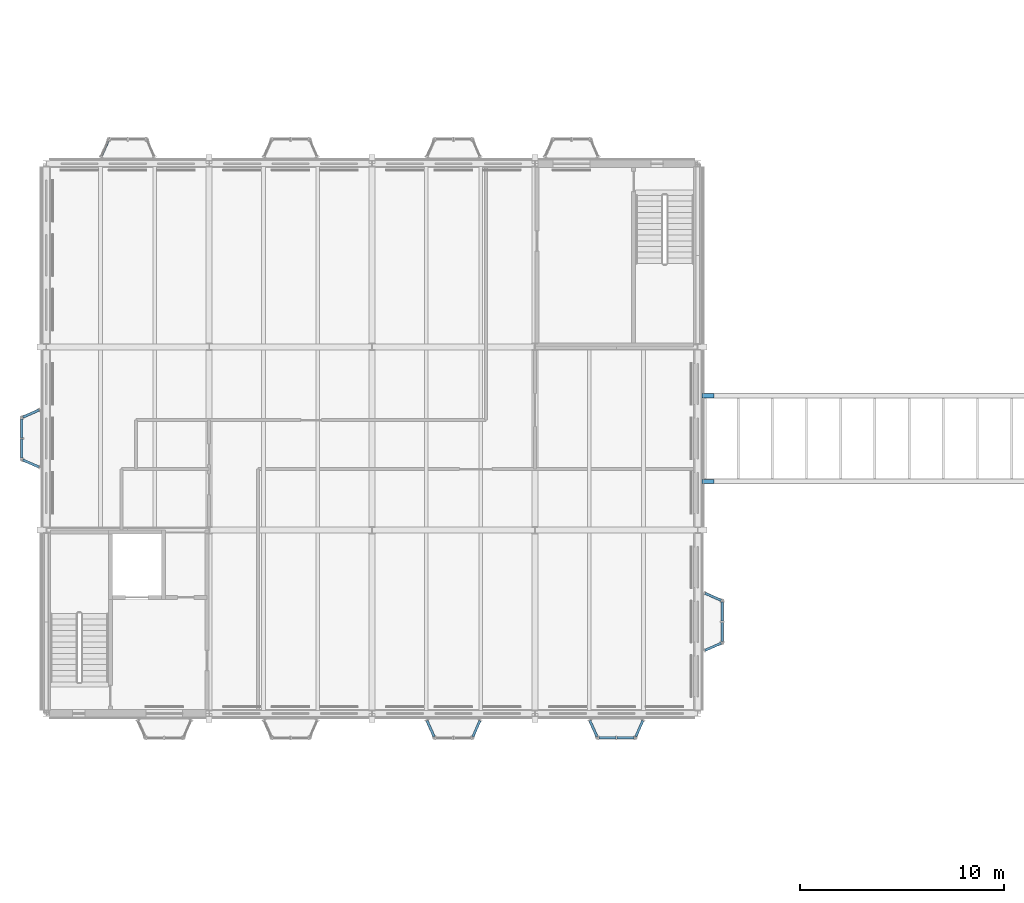
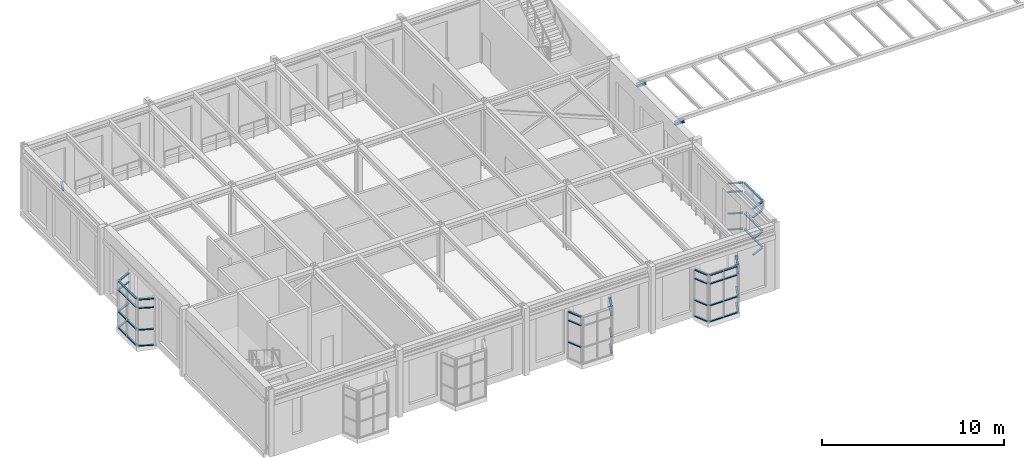
# One storey, part 78 of 153: 56 members, 2 beams, 12 elements without a shape of their own.
"""IFC4 building model written with IfcOpenShell, lengths in metres."""

from ifc_helpers import new_model, si_unit, direction, frame, origin, origin_2d, place, context, subcontext, project, spatial, hollow_rectangle, i_section, extrude, material, material_profile, profile_set, type_object, element, aggregate, save


model = new_model("IFC4")

# Units and contexts
model_context = context("Model", 3, precision=1e-05, world=origin(), true_north=direction((0.0, 1.0)))
body_context = subcontext(model_context, "Body", "Model", "MODEL_VIEW")
ifc_project = project(units=[si_unit("LENGTHUNIT", "METRE"), si_unit("AREAUNIT", "SQUARE_METRE"), si_unit("VOLUMEUNIT", "CUBIC_METRE"), si_unit("PLANEANGLEUNIT", "RADIAN"), si_unit("MASSUNIT", "GRAM", prefix="KILO")], contexts=[model_context])

# Site, building, storey
site_placement = place(None, origin())
site = spatial("IfcSite", under=ifc_project, at=site_placement, CompositionType="ELEMENT")
building_placement = place(site_placement, origin())
building = spatial("IfcBuilding", under=site, at=building_placement, Name="Kallimachos Central Library", CompositionType="ELEMENT")
storey_placement = place(building_placement, frame((0.0, 0.0, 5.39990234375)))
storey = spatial("IfcBuildingStorey", under=building, at=storey_placement, Name="L01", CompositionType="ELEMENT", Elevation=5.39990234375)

# Curtain wall, members
ifc_material_1 = material(Name="Laminated glass in anodised aluminium", Category="aluminium")
curtain_wall_type = type_object("IfcCurtainWallType", Name="Foyer curtain wall", PredefinedType="NOTDEFINED", material=ifc_material_1)
curtain_wall_1_placement = place(storey_placement, origin())
curtain_wall_1 = element("IfcCurtainWall", 1, at=curtain_wall_1_placement, inside=storey, type_object=curtain_wall_type, Name="Tribune bay return west", PredefinedType="NOTDEFINED")
ifc_material_2 = material(Name="Anodised aluminium", Category="aluminium")
ifc_material_profile_1 = material_profile(ifc_material_2, hollow_rectangle(XDim=0.06005859375, YDim=0.1201171875, WallThickness=0.00390625, at=origin_2d()), Name="ALU TRANSOM 60x120")
ifc_profile_set_1 = profile_set([ifc_material_profile_1], Name="Anodised aluminium")
member_type = type_object("IfcMemberType", Name="ALU TRANSOM 60x120 transom", PredefinedType="USERDEFINED", material=ifc_profile_set_1)
member_1_placement = place(storey_placement, frame((24.699462890625, 86.645263671875, 1.25), z_axis=(0.405876567244, -0.913927903154, 0.0), x_axis=(0.0, 0.0, 1.0)))
member_1 = element("IfcMember", 2, at=member_1_placement, type_object=member_type, Name="CW transom 1.2", ObjectType="TRANSOM", PredefinedType="USERDEFINED", context=body_context, shape_type="SweptSolid", body=[
    extrude(hollow_rectangle(XDim=0.06005859375, YDim=0.1201171875, WallThickness=0.00390625, at=origin_2d()), origin(), (0.0, 0.0, 1.0), 0.864990234375),
])
member_2_placement = place(storey_placement, frame((24.699462890625, 86.645263671875, 2.7001953125), z_axis=(0.405876567244, -0.913927903154, 0.0), x_axis=(0.0, 0.0, 1.0)))
member_2 = element("IfcMember", 3, at=member_2_placement, type_object=member_type, Name="CW transom 1.3", ObjectType="TRANSOM", PredefinedType="USERDEFINED", context=body_context, shape_type="SweptSolid", body=[
    extrude(hollow_rectangle(XDim=0.06005859375, YDim=0.1201171875, WallThickness=0.00390625, at=origin_2d()), origin(), (0.0, 0.0, 1.0), 0.864990234375),
])
member_3_placement = place(storey_placement, frame((24.699462890625, 86.645263671875, 3.27001953125), z_axis=(0.405876567244, -0.913927903154, 0.0), x_axis=(0.0, 0.0, 1.0)))
member_3 = element("IfcMember", 4, at=member_3_placement, type_object=member_type, Name="CW transom 1.4", ObjectType="TRANSOM", PredefinedType="USERDEFINED", context=body_context, shape_type="SweptSolid", body=[
    extrude(hollow_rectangle(XDim=0.06005859375, YDim=0.1201171875, WallThickness=0.00390625, at=origin_2d()), origin(), (0.0, 0.0, 1.0), 0.864990234375),
])
aggregate(curtain_wall_1, [member_1, member_2, member_3])

curtain_wall_2_placement = place(storey_placement, origin())
curtain_wall_2 = element("IfcCurtainWall", 5, at=curtain_wall_2_placement, inside=storey, type_object=curtain_wall_type, Name="Tribune bay return east", PredefinedType="NOTDEFINED")
member_4_placement = place(storey_placement, frame((26.949462890625, 85.854736328125, 0.18017578125), z_axis=(0.405876567244, 0.913927903154, 0.0), x_axis=(0.0, 0.0, 1.0)))
member_4 = element("IfcMember", 6, at=member_4_placement, type_object=member_type, Name="CW transom 1.1", ObjectType="TRANSOM", PredefinedType="USERDEFINED", context=body_context, shape_type="SweptSolid", body=[
    extrude(hollow_rectangle(XDim=0.06005859375, YDim=0.1201171875, WallThickness=0.00390625, at=origin_2d()), origin(), (0.0, 0.0, 1.0), 0.864990234375),
])
member_5_placement = place(storey_placement, frame((26.949462890625, 85.854736328125, 1.25), z_axis=(0.405876567244, 0.913927903154, 0.0), x_axis=(0.0, 0.0, 1.0)))
member_5 = element("IfcMember", 7, at=member_5_placement, type_object=member_type, Name="CW transom 1.2", ObjectType="TRANSOM", PredefinedType="USERDEFINED", context=body_context, shape_type="SweptSolid", body=[
    extrude(hollow_rectangle(XDim=0.06005859375, YDim=0.1201171875, WallThickness=0.00390625, at=origin_2d()), origin(), (0.0, 0.0, 1.0), 0.864990234375),
])
member_6_placement = place(storey_placement, frame((26.949462890625, 85.854736328125, 2.7001953125), z_axis=(0.405876567244, 0.913927903154, 0.0), x_axis=(0.0, 0.0, 1.0)))
member_6 = element("IfcMember", 8, at=member_6_placement, type_object=member_type, Name="CW transom 1.3", ObjectType="TRANSOM", PredefinedType="USERDEFINED", context=body_context, shape_type="SweptSolid", body=[
    extrude(hollow_rectangle(XDim=0.06005859375, YDim=0.1201171875, WallThickness=0.00390625, at=origin_2d()), origin(), (0.0, 0.0, 1.0), 0.864990234375),
])
member_7_placement = place(storey_placement, frame((26.949462890625, 85.854736328125, 3.27001953125), z_axis=(0.405876567244, 0.913927903154, 0.0), x_axis=(0.0, 0.0, 1.0)))
member_7 = element("IfcMember", 9, at=member_7_placement, type_object=member_type, Name="CW transom 1.4", ObjectType="TRANSOM", PredefinedType="USERDEFINED", context=body_context, shape_type="SweptSolid", body=[
    extrude(hollow_rectangle(XDim=0.06005859375, YDim=0.1201171875, WallThickness=0.00390625, at=origin_2d()), origin(), (0.0, 0.0, 1.0), 0.864990234375),
])
aggregate(curtain_wall_2, [member_4, member_5, member_6, member_7])

curtain_wall_3_placement = place(storey_placement, origin())
curtain_wall_3 = element("IfcCurtainWall", 10, at=curtain_wall_3_placement, inside=storey, type_object=curtain_wall_type, Name="Tribune bay return west", PredefinedType="NOTDEFINED")
member_8_placement = place(storey_placement, frame((32.699462890625, 86.645263671875, 0.18017578125), z_axis=(0.405876567244, -0.913927903154, 0.0), x_axis=(0.0, 0.0, 1.0)))
member_8 = element("IfcMember", 11, at=member_8_placement, type_object=member_type, Name="CW transom 1.1", ObjectType="TRANSOM", PredefinedType="USERDEFINED", context=body_context, shape_type="SweptSolid", body=[
    extrude(hollow_rectangle(XDim=0.06005859375, YDim=0.1201171875, WallThickness=0.00390625, at=origin_2d()), origin(), (0.0, 0.0, 1.0), 0.864990234375),
])
member_9_placement = place(storey_placement, frame((32.699462890625, 86.645263671875, 1.25), z_axis=(0.405876567244, -0.913927903154, 0.0), x_axis=(0.0, 0.0, 1.0)))
member_9 = element("IfcMember", 12, at=member_9_placement, type_object=member_type, Name="CW transom 1.2", ObjectType="TRANSOM", PredefinedType="USERDEFINED", context=body_context, shape_type="SweptSolid", body=[
    extrude(hollow_rectangle(XDim=0.06005859375, YDim=0.1201171875, WallThickness=0.00390625, at=origin_2d()), origin(), (0.0, 0.0, 1.0), 0.864990234375),
])
member_10_placement = place(storey_placement, frame((32.699462890625, 86.645263671875, 2.7001953125), z_axis=(0.405876567244, -0.913927903154, 0.0), x_axis=(0.0, 0.0, 1.0)))
member_10 = element("IfcMember", 13, at=member_10_placement, type_object=member_type, Name="CW transom 1.3", ObjectType="TRANSOM", PredefinedType="USERDEFINED", context=body_context, shape_type="SweptSolid", body=[
    extrude(hollow_rectangle(XDim=0.06005859375, YDim=0.1201171875, WallThickness=0.00390625, at=origin_2d()), origin(), (0.0, 0.0, 1.0), 0.864990234375),
])
member_11_placement = place(storey_placement, frame((32.699462890625, 86.645263671875, 3.27001953125), z_axis=(0.405876567244, -0.913927903154, 0.0), x_axis=(0.0, 0.0, 1.0)))
member_11 = element("IfcMember", 14, at=member_11_placement, type_object=member_type, Name="CW transom 1.4", ObjectType="TRANSOM", PredefinedType="USERDEFINED", context=body_context, shape_type="SweptSolid", body=[
    extrude(hollow_rectangle(XDim=0.06005859375, YDim=0.1201171875, WallThickness=0.00390625, at=origin_2d()), origin(), (0.0, 0.0, 1.0), 0.864990234375),
])
aggregate(curtain_wall_3, [member_8, member_9, member_10, member_11])

curtain_wall_4_placement = place(storey_placement, origin())
curtain_wall_4 = element("IfcCurtainWall", 15, at=curtain_wall_4_placement, inside=storey, type_object=curtain_wall_type, Name="Tribune bay front", PredefinedType="NOTDEFINED")
member_12_placement = place(storey_placement, frame((33.135009765625, 85.800048828125, 0.18017578125), z_axis=(1.0, 0.0, 0.0), x_axis=(0.0, 0.0, 1.0)))
member_12 = element("IfcMember", 16, at=member_12_placement, type_object=member_type, Name="CW transom 1.1", ObjectType="TRANSOM", PredefinedType="USERDEFINED", context=body_context, shape_type="SweptSolid", body=[
    extrude(hollow_rectangle(XDim=0.06005859375, YDim=0.1201171875, WallThickness=0.00390625, at=origin_2d()), origin(), (0.0, 0.0, 1.0), 0.8349609375),
])
member_13_placement = place(storey_placement, frame((33.135009765625, 85.800048828125, 1.25), z_axis=(1.0, 0.0, 0.0), x_axis=(0.0, 0.0, 1.0)))
member_13 = element("IfcMember", 17, at=member_13_placement, type_object=member_type, Name="CW transom 1.2", ObjectType="TRANSOM", PredefinedType="USERDEFINED", context=body_context, shape_type="SweptSolid", body=[
    extrude(hollow_rectangle(XDim=0.06005859375, YDim=0.1201171875, WallThickness=0.00390625, at=origin_2d()), origin(), (0.0, 0.0, 1.0), 0.8349609375),
])
member_14_placement = place(storey_placement, frame((33.135009765625, 85.800048828125, 2.7001953125), z_axis=(1.0, 0.0, 0.0), x_axis=(0.0, 0.0, 1.0)))
member_14 = element("IfcMember", 18, at=member_14_placement, type_object=member_type, Name="CW transom 1.3", ObjectType="TRANSOM", PredefinedType="USERDEFINED", context=body_context, shape_type="SweptSolid", body=[
    extrude(hollow_rectangle(XDim=0.06005859375, YDim=0.1201171875, WallThickness=0.00390625, at=origin_2d()), origin(), (0.0, 0.0, 1.0), 0.8349609375),
])
member_15_placement = place(storey_placement, frame((33.135009765625, 85.800048828125, 3.27001953125), z_axis=(1.0, 0.0, 0.0), x_axis=(0.0, 0.0, 1.0)))
member_15 = element("IfcMember", 19, at=member_15_placement, type_object=member_type, Name="CW transom 1.4", ObjectType="TRANSOM", PredefinedType="USERDEFINED", context=body_context, shape_type="SweptSolid", body=[
    extrude(hollow_rectangle(XDim=0.06005859375, YDim=0.1201171875, WallThickness=0.00390625, at=origin_2d()), origin(), (0.0, 0.0, 1.0), 0.8349609375),
])
member_16_placement = place(storey_placement, frame((34.030029296875, 85.800048828125, 0.18017578125), z_axis=(1.0, 0.0, 0.0), x_axis=(0.0, 0.0, 1.0)))
member_16 = element("IfcMember", 20, at=member_16_placement, type_object=member_type, Name="CW transom 2.1", ObjectType="TRANSOM", PredefinedType="USERDEFINED", context=body_context, shape_type="SweptSolid", body=[
    extrude(hollow_rectangle(XDim=0.06005859375, YDim=0.1201171875, WallThickness=0.00390625, at=origin_2d()), origin(), (0.0, 0.0, 1.0), 0.8349609375),
])
member_17_placement = place(storey_placement, frame((34.030029296875, 85.800048828125, 1.25), z_axis=(1.0, 0.0, 0.0), x_axis=(0.0, 0.0, 1.0)))
member_17 = element("IfcMember", 21, at=member_17_placement, type_object=member_type, Name="CW transom 2.2", ObjectType="TRANSOM", PredefinedType="USERDEFINED", context=body_context, shape_type="SweptSolid", body=[
    extrude(hollow_rectangle(XDim=0.06005859375, YDim=0.1201171875, WallThickness=0.00390625, at=origin_2d()), origin(), (0.0, 0.0, 1.0), 0.8349609375),
])
member_18_placement = place(storey_placement, frame((34.030029296875, 85.800048828125, 2.7001953125), z_axis=(1.0, 0.0, 0.0), x_axis=(0.0, 0.0, 1.0)))
member_18 = element("IfcMember", 22, at=member_18_placement, type_object=member_type, Name="CW transom 2.3", ObjectType="TRANSOM", PredefinedType="USERDEFINED", context=body_context, shape_type="SweptSolid", body=[
    extrude(hollow_rectangle(XDim=0.06005859375, YDim=0.1201171875, WallThickness=0.00390625, at=origin_2d()), origin(), (0.0, 0.0, 1.0), 0.8349609375),
])
member_19_placement = place(storey_placement, frame((34.030029296875, 85.800048828125, 3.27001953125), z_axis=(1.0, 0.0, 0.0), x_axis=(0.0, 0.0, 1.0)))
member_19 = element("IfcMember", 23, at=member_19_placement, type_object=member_type, Name="CW transom 2.4", ObjectType="TRANSOM", PredefinedType="USERDEFINED", context=body_context, shape_type="SweptSolid", body=[
    extrude(hollow_rectangle(XDim=0.06005859375, YDim=0.1201171875, WallThickness=0.00390625, at=origin_2d()), origin(), (0.0, 0.0, 1.0), 0.8349609375),
])
aggregate(curtain_wall_4, [member_12, member_13, member_14, member_15, member_16, member_17, member_18, member_19])

curtain_wall_5_placement = place(storey_placement, origin())
curtain_wall_5 = element("IfcCurtainWall", 24, at=curtain_wall_5_placement, inside=storey, type_object=curtain_wall_type, Name="Tribune bay return east", PredefinedType="NOTDEFINED")
member_20_placement = place(storey_placement, frame((34.949462890625, 85.854736328125, 0.18017578125), z_axis=(0.405876567244, 0.913927903154, 0.0), x_axis=(0.0, 0.0, 1.0)))
member_20 = element("IfcMember", 25, at=member_20_placement, type_object=member_type, Name="CW transom 1.1", ObjectType="TRANSOM", PredefinedType="USERDEFINED", context=body_context, shape_type="SweptSolid", body=[
    extrude(hollow_rectangle(XDim=0.06005859375, YDim=0.1201171875, WallThickness=0.00390625, at=origin_2d()), origin(), (0.0, 0.0, 1.0), 0.864990234375),
])
member_21_placement = place(storey_placement, frame((34.949462890625, 85.854736328125, 1.25), z_axis=(0.405876567244, 0.913927903154, 0.0), x_axis=(0.0, 0.0, 1.0)))
member_21 = element("IfcMember", 26, at=member_21_placement, type_object=member_type, Name="CW transom 1.2", ObjectType="TRANSOM", PredefinedType="USERDEFINED", context=body_context, shape_type="SweptSolid", body=[
    extrude(hollow_rectangle(XDim=0.06005859375, YDim=0.1201171875, WallThickness=0.00390625, at=origin_2d()), origin(), (0.0, 0.0, 1.0), 0.864990234375),
])
member_22_placement = place(storey_placement, frame((34.949462890625, 85.854736328125, 2.7001953125), z_axis=(0.405876567244, 0.913927903154, 0.0), x_axis=(0.0, 0.0, 1.0)))
member_22 = element("IfcMember", 27, at=member_22_placement, type_object=member_type, Name="CW transom 1.3", ObjectType="TRANSOM", PredefinedType="USERDEFINED", context=body_context, shape_type="SweptSolid", body=[
    extrude(hollow_rectangle(XDim=0.06005859375, YDim=0.1201171875, WallThickness=0.00390625, at=origin_2d()), origin(), (0.0, 0.0, 1.0), 0.864990234375),
])
member_23_placement = place(storey_placement, frame((34.949462890625, 85.854736328125, 3.27001953125), z_axis=(0.405876567244, 0.913927903154, 0.0), x_axis=(0.0, 0.0, 1.0)))
member_23 = element("IfcMember", 28, at=member_23_placement, type_object=member_type, Name="CW transom 1.4", ObjectType="TRANSOM", PredefinedType="USERDEFINED", context=body_context, shape_type="SweptSolid", body=[
    extrude(hollow_rectangle(XDim=0.06005859375, YDim=0.1201171875, WallThickness=0.00390625, at=origin_2d()), origin(), (0.0, 0.0, 1.0), 0.864990234375),
])
aggregate(curtain_wall_5, [member_20, member_21, member_22, member_23])

# Curtain wall, member
curtain_wall_6_placement = place(storey_placement, origin())
curtain_wall_6 = element("IfcCurtainWall", 29, at=curtain_wall_6_placement, inside=storey, type_object=curtain_wall_type, Name="Tribune bay return west", PredefinedType="NOTDEFINED")
member_24_placement = place(storey_placement, frame((8.699462890625, 114.354736328125, 0.18017578125), z_axis=(0.405876567244, 0.913927903154, 0.0), x_axis=(0.0, 0.0, 1.0)))
member_24 = element("IfcMember", 30, at=member_24_placement, type_object=member_type, Name="CW transom 1.1", ObjectType="TRANSOM", PredefinedType="USERDEFINED", context=body_context, shape_type="SweptSolid", body=[
    extrude(hollow_rectangle(XDim=0.06005859375, YDim=0.1201171875, WallThickness=0.00390625, at=origin_2d()), origin(), (0.0, 0.0, 1.0), 0.864990234375),
])
aggregate(curtain_wall_6, [member_24])

# Curtain wall, members
curtain_wall_7_placement = place(storey_placement, origin())
curtain_wall_7 = element("IfcCurtainWall", 31, at=curtain_wall_7_placement, inside=storey, type_object=curtain_wall_type, Name="Tribune bay return west", PredefinedType="NOTDEFINED")
member_25_placement = place(storey_placement, frame((5.645263671875, 99.099365234375, 0.18017578125), z_axis=(-0.913823186117, 0.406112280674, 0.0), x_axis=(0.0, 0.0, 1.0)))
member_25 = element("IfcMember", 32, at=member_25_placement, type_object=member_type, Name="CW transom 1.1", ObjectType="TRANSOM", PredefinedType="USERDEFINED", context=body_context, shape_type="SweptSolid", body=[
    extrude(hollow_rectangle(XDim=0.06005859375, YDim=0.1201171875, WallThickness=0.00390625, at=origin_2d()), origin(), (0.0, 0.0, 1.0), 0.864990234375),
])
member_26_placement = place(storey_placement, frame((5.645263671875, 99.099365234375, 1.25), z_axis=(-0.913823186117, 0.406112280674, 0.0), x_axis=(0.0, 0.0, 1.0)))
member_26 = element("IfcMember", 33, at=member_26_placement, type_object=member_type, Name="CW transom 1.2", ObjectType="TRANSOM", PredefinedType="USERDEFINED", context=body_context, shape_type="SweptSolid", body=[
    extrude(hollow_rectangle(XDim=0.06005859375, YDim=0.1201171875, WallThickness=0.00390625, at=origin_2d()), origin(), (0.0, 0.0, 1.0), 0.864990234375),
])
member_27_placement = place(storey_placement, frame((5.645263671875, 99.099365234375, 2.7001953125), z_axis=(-0.913823186117, 0.406112280674, 0.0), x_axis=(0.0, 0.0, 1.0)))
member_27 = element("IfcMember", 34, at=member_27_placement, type_object=member_type, Name="CW transom 1.3", ObjectType="TRANSOM", PredefinedType="USERDEFINED", context=body_context, shape_type="SweptSolid", body=[
    extrude(hollow_rectangle(XDim=0.06005859375, YDim=0.1201171875, WallThickness=0.00390625, at=origin_2d()), origin(), (0.0, 0.0, 1.0), 0.864990234375),
])
member_28_placement = place(storey_placement, frame((5.645263671875, 99.099365234375, 3.27001953125), z_axis=(-0.913823186117, 0.406112280674, 0.0), x_axis=(0.0, 0.0, 1.0)))
member_28 = element("IfcMember", 35, at=member_28_placement, type_object=member_type, Name="CW transom 1.4", ObjectType="TRANSOM", PredefinedType="USERDEFINED", context=body_context, shape_type="SweptSolid", body=[
    extrude(hollow_rectangle(XDim=0.06005859375, YDim=0.1201171875, WallThickness=0.00390625, at=origin_2d()), origin(), (0.0, 0.0, 1.0), 0.864990234375),
])
aggregate(curtain_wall_7, [member_25, member_26, member_27, member_28])

curtain_wall_8_placement = place(storey_placement, origin())
curtain_wall_8 = element("IfcCurtainWall", 36, at=curtain_wall_8_placement, inside=storey, type_object=curtain_wall_type, Name="Tribune bay front", PredefinedType="NOTDEFINED")
member_29_placement = place(storey_placement, frame((4.800048828125, 99.534912109375, 0.18017578125), z_axis=(0.0, 1.0, 0.0), x_axis=(0.0, 0.0, 1.0)))
member_29 = element("IfcMember", 37, at=member_29_placement, type_object=member_type, Name="CW transom 1.1", ObjectType="TRANSOM", PredefinedType="USERDEFINED", context=body_context, shape_type="SweptSolid", body=[
    extrude(hollow_rectangle(XDim=0.06005859375, YDim=0.1201171875, WallThickness=0.00390625, at=origin_2d()), origin(), (0.0, 0.0, 1.0), 0.93505859375),
])
member_30_placement = place(storey_placement, frame((4.800048828125, 99.534912109375, 1.25), z_axis=(0.0, 1.0, 0.0), x_axis=(0.0, 0.0, 1.0)))
member_30 = element("IfcMember", 38, at=member_30_placement, type_object=member_type, Name="CW transom 1.2", ObjectType="TRANSOM", PredefinedType="USERDEFINED", context=body_context, shape_type="SweptSolid", body=[
    extrude(hollow_rectangle(XDim=0.06005859375, YDim=0.1201171875, WallThickness=0.00390625, at=origin_2d()), origin(), (0.0, 0.0, 1.0), 0.93505859375),
])
member_31_placement = place(storey_placement, frame((4.800048828125, 99.534912109375, 2.7001953125), z_axis=(0.0, 1.0, 0.0), x_axis=(0.0, 0.0, 1.0)))
member_31 = element("IfcMember", 39, at=member_31_placement, type_object=member_type, Name="CW transom 1.3", ObjectType="TRANSOM", PredefinedType="USERDEFINED", context=body_context, shape_type="SweptSolid", body=[
    extrude(hollow_rectangle(XDim=0.06005859375, YDim=0.1201171875, WallThickness=0.00390625, at=origin_2d()), origin(), (0.0, 0.0, 1.0), 0.93505859375),
])
member_32_placement = place(storey_placement, frame((4.800048828125, 99.534912109375, 3.27001953125), z_axis=(0.0, 1.0, 0.0), x_axis=(0.0, 0.0, 1.0)))
member_32 = element("IfcMember", 40, at=member_32_placement, type_object=member_type, Name="CW transom 1.4", ObjectType="TRANSOM", PredefinedType="USERDEFINED", context=body_context, shape_type="SweptSolid", body=[
    extrude(hollow_rectangle(XDim=0.06005859375, YDim=0.1201171875, WallThickness=0.00390625, at=origin_2d()), origin(), (0.0, 0.0, 1.0), 0.93505859375),
])
member_33_placement = place(storey_placement, frame((4.800048828125, 100.530029296875, 0.18017578125), z_axis=(0.0, 1.0, 0.0), x_axis=(0.0, 0.0, 1.0)))
member_33 = element("IfcMember", 41, at=member_33_placement, type_object=member_type, Name="CW transom 2.1", ObjectType="TRANSOM", PredefinedType="USERDEFINED", context=body_context, shape_type="SweptSolid", body=[
    extrude(hollow_rectangle(XDim=0.06005859375, YDim=0.1201171875, WallThickness=0.00390625, at=origin_2d()), origin(), (0.0, 0.0, 1.0), 0.93505859375),
])
member_34_placement = place(storey_placement, frame((4.800048828125, 100.530029296875, 1.25), z_axis=(0.0, 1.0, 0.0), x_axis=(0.0, 0.0, 1.0)))
member_34 = element("IfcMember", 42, at=member_34_placement, type_object=member_type, Name="CW transom 2.2", ObjectType="TRANSOM", PredefinedType="USERDEFINED", context=body_context, shape_type="SweptSolid", body=[
    extrude(hollow_rectangle(XDim=0.06005859375, YDim=0.1201171875, WallThickness=0.00390625, at=origin_2d()), origin(), (0.0, 0.0, 1.0), 0.93505859375),
])
member_35_placement = place(storey_placement, frame((4.800048828125, 100.530029296875, 2.7001953125), z_axis=(0.0, 1.0, 0.0), x_axis=(0.0, 0.0, 1.0)))
member_35 = element("IfcMember", 43, at=member_35_placement, type_object=member_type, Name="CW transom 2.3", ObjectType="TRANSOM", PredefinedType="USERDEFINED", context=body_context, shape_type="SweptSolid", body=[
    extrude(hollow_rectangle(XDim=0.06005859375, YDim=0.1201171875, WallThickness=0.00390625, at=origin_2d()), origin(), (0.0, 0.0, 1.0), 0.93505859375),
])
member_36_placement = place(storey_placement, frame((4.800048828125, 100.530029296875, 3.27001953125), z_axis=(0.0, 1.0, 0.0), x_axis=(0.0, 0.0, 1.0)))
member_36 = element("IfcMember", 44, at=member_36_placement, type_object=member_type, Name="CW transom 2.4", ObjectType="TRANSOM", PredefinedType="USERDEFINED", context=body_context, shape_type="SweptSolid", body=[
    extrude(hollow_rectangle(XDim=0.06005859375, YDim=0.1201171875, WallThickness=0.00390625, at=origin_2d()), origin(), (0.0, 0.0, 1.0), 0.93505859375),
])
aggregate(curtain_wall_8, [member_29, member_30, member_31, member_32, member_33, member_34, member_35, member_36])

curtain_wall_9_placement = place(storey_placement, origin())
curtain_wall_9 = element("IfcCurtainWall", 45, at=curtain_wall_9_placement, inside=storey, type_object=curtain_wall_type, Name="Tribune bay return east", PredefinedType="NOTDEFINED")
member_37_placement = place(storey_placement, frame((4.854736328125, 101.54931640625, 0.18017578125), z_axis=(0.913823186117, 0.406112280674, 0.0), x_axis=(0.0, 0.0, 1.0)))
member_37 = element("IfcMember", 46, at=member_37_placement, type_object=member_type, Name="CW transom 1.1", ObjectType="TRANSOM", PredefinedType="USERDEFINED", context=body_context, shape_type="SweptSolid", body=[
    extrude(hollow_rectangle(XDim=0.06005859375, YDim=0.1201171875, WallThickness=0.00390625, at=origin_2d()), origin(), (0.0, 0.0, 1.0), 0.864990234375),
])
member_38_placement = place(storey_placement, frame((4.854736328125, 101.54931640625, 1.25), z_axis=(0.913823186117, 0.406112280674, 0.0), x_axis=(0.0, 0.0, 1.0)))
member_38 = element("IfcMember", 47, at=member_38_placement, type_object=member_type, Name="CW transom 1.2", ObjectType="TRANSOM", PredefinedType="USERDEFINED", context=body_context, shape_type="SweptSolid", body=[
    extrude(hollow_rectangle(XDim=0.06005859375, YDim=0.1201171875, WallThickness=0.00390625, at=origin_2d()), origin(), (0.0, 0.0, 1.0), 0.864990234375),
])
member_39_placement = place(storey_placement, frame((4.854736328125, 101.54931640625, 2.7001953125), z_axis=(0.913823186117, 0.406112280674, 0.0), x_axis=(0.0, 0.0, 1.0)))
member_39 = element("IfcMember", 48, at=member_39_placement, type_object=member_type, Name="CW transom 1.3", ObjectType="TRANSOM", PredefinedType="USERDEFINED", context=body_context, shape_type="SweptSolid", body=[
    extrude(hollow_rectangle(XDim=0.06005859375, YDim=0.1201171875, WallThickness=0.00390625, at=origin_2d()), origin(), (0.0, 0.0, 1.0), 0.864990234375),
])
member_40_placement = place(storey_placement, frame((4.854736328125, 101.54931640625, 3.27001953125), z_axis=(0.913823186117, 0.406112280674, 0.0), x_axis=(0.0, 0.0, 1.0)))
member_40 = element("IfcMember", 49, at=member_40_placement, type_object=member_type, Name="CW transom 1.4", ObjectType="TRANSOM", PredefinedType="USERDEFINED", context=body_context, shape_type="SweptSolid", body=[
    extrude(hollow_rectangle(XDim=0.06005859375, YDim=0.1201171875, WallThickness=0.00390625, at=origin_2d()), origin(), (0.0, 0.0, 1.0), 0.864990234375),
])
aggregate(curtain_wall_9, [member_37, member_38, member_39, member_40])

curtain_wall_10_placement = place(storey_placement, origin())
curtain_wall_10 = element("IfcCurtainWall", 50, at=curtain_wall_10_placement, inside=storey, type_object=curtain_wall_type, Name="Tribune bay return west", PredefinedType="NOTDEFINED")
member_41_placement = place(storey_placement, frame((38.354736328125, 90.099365234375, 0.18017578125), z_axis=(0.913823186117, 0.406112280674, 0.0), x_axis=(0.0, 0.0, 1.0)))
member_41 = element("IfcMember", 51, at=member_41_placement, type_object=member_type, Name="CW transom 1.1", ObjectType="TRANSOM", PredefinedType="USERDEFINED", context=body_context, shape_type="SweptSolid", body=[
    extrude(hollow_rectangle(XDim=0.06005859375, YDim=0.1201171875, WallThickness=0.00390625, at=origin_2d()), origin(), (0.0, 0.0, 1.0), 0.864990234375),
])
member_42_placement = place(storey_placement, frame((38.354736328125, 90.099365234375, 1.25), z_axis=(0.913823186117, 0.406112280674, 0.0), x_axis=(0.0, 0.0, 1.0)))
member_42 = element("IfcMember", 52, at=member_42_placement, type_object=member_type, Name="CW transom 1.2", ObjectType="TRANSOM", PredefinedType="USERDEFINED", context=body_context, shape_type="SweptSolid", body=[
    extrude(hollow_rectangle(XDim=0.06005859375, YDim=0.1201171875, WallThickness=0.00390625, at=origin_2d()), origin(), (0.0, 0.0, 1.0), 0.864990234375),
])
member_43_placement = place(storey_placement, frame((38.354736328125, 90.099365234375, 2.7001953125), z_axis=(0.913823186117, 0.406112280674, 0.0), x_axis=(0.0, 0.0, 1.0)))
member_43 = element("IfcMember", 53, at=member_43_placement, type_object=member_type, Name="CW transom 1.3", ObjectType="TRANSOM", PredefinedType="USERDEFINED", context=body_context, shape_type="SweptSolid", body=[
    extrude(hollow_rectangle(XDim=0.06005859375, YDim=0.1201171875, WallThickness=0.00390625, at=origin_2d()), origin(), (0.0, 0.0, 1.0), 0.864990234375),
])
member_44_placement = place(storey_placement, frame((38.354736328125, 90.099365234375, 3.27001953125), z_axis=(0.913823186117, 0.406112280674, 0.0), x_axis=(0.0, 0.0, 1.0)))
member_44 = element("IfcMember", 54, at=member_44_placement, type_object=member_type, Name="CW transom 1.4", ObjectType="TRANSOM", PredefinedType="USERDEFINED", context=body_context, shape_type="SweptSolid", body=[
    extrude(hollow_rectangle(XDim=0.06005859375, YDim=0.1201171875, WallThickness=0.00390625, at=origin_2d()), origin(), (0.0, 0.0, 1.0), 0.864990234375),
])
aggregate(curtain_wall_10, [member_41, member_42, member_43, member_44])

curtain_wall_11_placement = place(storey_placement, origin())
curtain_wall_11 = element("IfcCurtainWall", 55, at=curtain_wall_11_placement, inside=storey, type_object=curtain_wall_type, Name="Tribune bay front", PredefinedType="NOTDEFINED")
member_45_placement = place(storey_placement, frame((39.199951171875, 90.534912109375, 0.18017578125), z_axis=(0.0, 1.0, 0.0), x_axis=(0.0, 0.0, 1.0)))
member_45 = element("IfcMember", 56, at=member_45_placement, type_object=member_type, Name="CW transom 1.1", ObjectType="TRANSOM", PredefinedType="USERDEFINED", context=body_context, shape_type="SweptSolid", body=[
    extrude(hollow_rectangle(XDim=0.06005859375, YDim=0.1201171875, WallThickness=0.00390625, at=origin_2d()), origin(), (0.0, 0.0, 1.0), 0.93505859375),
])
member_46_placement = place(storey_placement, frame((39.199951171875, 90.534912109375, 1.25), z_axis=(0.0, 1.0, 0.0), x_axis=(0.0, 0.0, 1.0)))
member_46 = element("IfcMember", 57, at=member_46_placement, type_object=member_type, Name="CW transom 1.2", ObjectType="TRANSOM", PredefinedType="USERDEFINED", context=body_context, shape_type="SweptSolid", body=[
    extrude(hollow_rectangle(XDim=0.06005859375, YDim=0.1201171875, WallThickness=0.00390625, at=origin_2d()), origin(), (0.0, 0.0, 1.0), 0.93505859375),
])
member_47_placement = place(storey_placement, frame((39.199951171875, 90.534912109375, 2.7001953125), z_axis=(0.0, 1.0, 0.0), x_axis=(0.0, 0.0, 1.0)))
member_47 = element("IfcMember", 58, at=member_47_placement, type_object=member_type, Name="CW transom 1.3", ObjectType="TRANSOM", PredefinedType="USERDEFINED", context=body_context, shape_type="SweptSolid", body=[
    extrude(hollow_rectangle(XDim=0.06005859375, YDim=0.1201171875, WallThickness=0.00390625, at=origin_2d()), origin(), (0.0, 0.0, 1.0), 0.93505859375),
])
member_48_placement = place(storey_placement, frame((39.199951171875, 90.534912109375, 3.27001953125), z_axis=(0.0, 1.0, 0.0), x_axis=(0.0, 0.0, 1.0)))
member_48 = element("IfcMember", 59, at=member_48_placement, type_object=member_type, Name="CW transom 1.4", ObjectType="TRANSOM", PredefinedType="USERDEFINED", context=body_context, shape_type="SweptSolid", body=[
    extrude(hollow_rectangle(XDim=0.06005859375, YDim=0.1201171875, WallThickness=0.00390625, at=origin_2d()), origin(), (0.0, 0.0, 1.0), 0.93505859375),
])
member_49_placement = place(storey_placement, frame((39.199951171875, 91.530029296875, 0.18017578125), z_axis=(0.0, 1.0, 0.0), x_axis=(0.0, 0.0, 1.0)))
member_49 = element("IfcMember", 60, at=member_49_placement, type_object=member_type, Name="CW transom 2.1", ObjectType="TRANSOM", PredefinedType="USERDEFINED", context=body_context, shape_type="SweptSolid", body=[
    extrude(hollow_rectangle(XDim=0.06005859375, YDim=0.1201171875, WallThickness=0.00390625, at=origin_2d()), origin(), (0.0, 0.0, 1.0), 0.93505859375),
])
member_50_placement = place(storey_placement, frame((39.199951171875, 91.530029296875, 1.25), z_axis=(0.0, 1.0, 0.0), x_axis=(0.0, 0.0, 1.0)))
member_50 = element("IfcMember", 61, at=member_50_placement, type_object=member_type, Name="CW transom 2.2", ObjectType="TRANSOM", PredefinedType="USERDEFINED", context=body_context, shape_type="SweptSolid", body=[
    extrude(hollow_rectangle(XDim=0.06005859375, YDim=0.1201171875, WallThickness=0.00390625, at=origin_2d()), origin(), (0.0, 0.0, 1.0), 0.93505859375),
])
member_51_placement = place(storey_placement, frame((39.199951171875, 91.530029296875, 2.7001953125), z_axis=(0.0, 1.0, 0.0), x_axis=(0.0, 0.0, 1.0)))
member_51 = element("IfcMember", 62, at=member_51_placement, type_object=member_type, Name="CW transom 2.3", ObjectType="TRANSOM", PredefinedType="USERDEFINED", context=body_context, shape_type="SweptSolid", body=[
    extrude(hollow_rectangle(XDim=0.06005859375, YDim=0.1201171875, WallThickness=0.00390625, at=origin_2d()), origin(), (0.0, 0.0, 1.0), 0.93505859375),
])
member_52_placement = place(storey_placement, frame((39.199951171875, 91.530029296875, 3.27001953125), z_axis=(0.0, 1.0, 0.0), x_axis=(0.0, 0.0, 1.0)))
member_52 = element("IfcMember", 63, at=member_52_placement, type_object=member_type, Name="CW transom 2.4", ObjectType="TRANSOM", PredefinedType="USERDEFINED", context=body_context, shape_type="SweptSolid", body=[
    extrude(hollow_rectangle(XDim=0.06005859375, YDim=0.1201171875, WallThickness=0.00390625, at=origin_2d()), origin(), (0.0, 0.0, 1.0), 0.93505859375),
])
aggregate(curtain_wall_11, [member_45, member_46, member_47, member_48, member_49, member_50, member_51, member_52])

curtain_wall_12_placement = place(storey_placement, origin())
curtain_wall_12 = element("IfcCurtainWall", 64, at=curtain_wall_12_placement, inside=storey, type_object=curtain_wall_type, Name="Tribune bay return east", PredefinedType="NOTDEFINED")
member_53_placement = place(storey_placement, frame((39.145263671875, 92.54931640625, 0.18017578125), z_axis=(-0.913823186117, 0.406112280674, 0.0), x_axis=(0.0, 0.0, 1.0)))
member_53 = element("IfcMember", 65, at=member_53_placement, type_object=member_type, Name="CW transom 1.1", ObjectType="TRANSOM", PredefinedType="USERDEFINED", context=body_context, shape_type="SweptSolid", body=[
    extrude(hollow_rectangle(XDim=0.06005859375, YDim=0.1201171875, WallThickness=0.00390625, at=origin_2d()), origin(), (0.0, 0.0, 1.0), 0.864990234375),
])
member_54_placement = place(storey_placement, frame((39.145263671875, 92.54931640625, 1.25), z_axis=(-0.913823186117, 0.406112280674, 0.0), x_axis=(0.0, 0.0, 1.0)))
member_54 = element("IfcMember", 66, at=member_54_placement, type_object=member_type, Name="CW transom 1.2", ObjectType="TRANSOM", PredefinedType="USERDEFINED", context=body_context, shape_type="SweptSolid", body=[
    extrude(hollow_rectangle(XDim=0.06005859375, YDim=0.1201171875, WallThickness=0.00390625, at=origin_2d()), origin(), (0.0, 0.0, 1.0), 0.864990234375),
])
member_55_placement = place(storey_placement, frame((39.145263671875, 92.54931640625, 2.7001953125), z_axis=(-0.913823186117, 0.406112280674, 0.0), x_axis=(0.0, 0.0, 1.0)))
member_55 = element("IfcMember", 67, at=member_55_placement, type_object=member_type, Name="CW transom 1.3", ObjectType="TRANSOM", PredefinedType="USERDEFINED", context=body_context, shape_type="SweptSolid", body=[
    extrude(hollow_rectangle(XDim=0.06005859375, YDim=0.1201171875, WallThickness=0.00390625, at=origin_2d()), origin(), (0.0, 0.0, 1.0), 0.864990234375),
])
member_56_placement = place(storey_placement, frame((39.145263671875, 92.54931640625, 3.27001953125), z_axis=(-0.913823186117, 0.406112280674, 0.0), x_axis=(0.0, 0.0, 1.0)))
member_56 = element("IfcMember", 68, at=member_56_placement, type_object=member_type, Name="CW transom 1.4", ObjectType="TRANSOM", PredefinedType="USERDEFINED", context=body_context, shape_type="SweptSolid", body=[
    extrude(hollow_rectangle(XDim=0.06005859375, YDim=0.1201171875, WallThickness=0.00390625, at=origin_2d()), origin(), (0.0, 0.0, 1.0), 0.864990234375),
])
aggregate(curtain_wall_12, [member_53, member_54, member_55, member_56])

# Beams
ifc_material_3 = material(Name="Steel S355J2", Category="steel")
ifc_material_profile_2 = material_profile(ifc_material_3, i_section(OverallWidth=0.199951171875, OverallDepth=0.18994140625, WebThickness=0.006591796875, FlangeThickness=0.010009765625, FilletRadius=0.01806640625, at=origin_2d()), Name="HEA 200")
ifc_profile_set_2 = profile_set([ifc_material_profile_2], Name="Steel S355J2")
beam_type = type_object("IfcBeamType", Name="HEA 200 beam", PredefinedType="BEAM", material=ifc_profile_set_2)
for number, where, z_axis, x_axis, name in (
    (69, (38.199951171875, 98.39990234375, 4.005126953125), (1.0, 0.0, 0.0), (0.0, 1.0, 0.0), "B-W sliding seat corbel"),
    (70, (38.199951171875, 102.60009765625, 4.005126953125), (1.0, 0.0, 0.0), (0.0, 1.0, 0.0), "B-W sliding seat corbel"),
):
    element("IfcBeam", number, at=place(storey_placement, frame(where, z_axis=z_axis, x_axis=x_axis)), inside=storey, type_object=beam_type, Name=name, PredefinedType="BEAM", context=body_context, shape_type="SweptSolid", body=[
        extrude(i_section(OverallWidth=0.199951171875, OverallDepth=0.18994140625, WebThickness=0.006591796875, FlangeThickness=0.010009765625, FilletRadius=0.01806640625, at=origin_2d()), origin(), (0.0, 0.0, 1.0), 0.60009765625),
    ])

save(model, "model.ifc")
